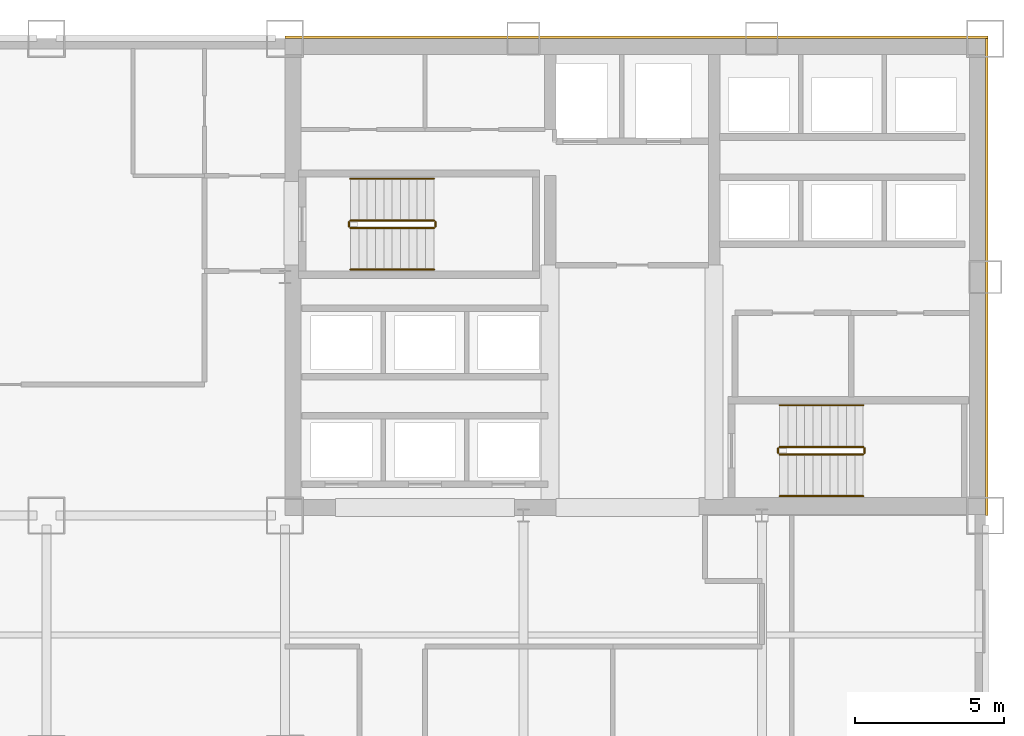
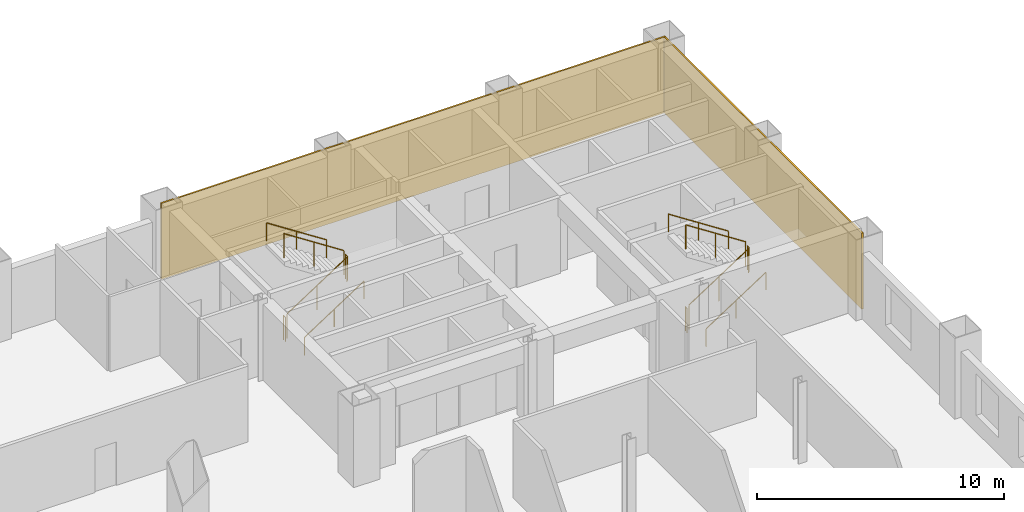
# One storey, part 9 of 9: 12 railings, 2 coverings.
"""IFC4 building model written with IfcOpenShell, lengths in metres."""

from ifc_helpers import new_model, si_unit, direction, frame, origin, origin_2d, place, context, subcontext, project, spatial, rectangle, circle, extrude, material, layer, layer_set, type_object, element, save


model = new_model("IFC4")

# Units and contexts
model_context = context("Model", 3, precision=1e-05, world=origin(), true_north=direction((0.0, 1.0)))
body_context = subcontext(model_context, "Body", "Model", "MODEL_VIEW")
ifc_project = project(units=[si_unit("LENGTHUNIT", "METRE"), si_unit("AREAUNIT", "SQUARE_METRE"), si_unit("VOLUMEUNIT", "CUBIC_METRE"), si_unit("PLANEANGLEUNIT", "RADIAN"), si_unit("MASSUNIT", "GRAM", prefix="KILO")], contexts=[model_context])

# Site, building, storey
site_placement = place(None, origin())
site = spatial("IfcSite", under=ifc_project, at=site_placement, CompositionType="ELEMENT")
building_placement = place(site_placement, origin())
building = spatial("IfcBuilding", under=site, at=building_placement, Name="Qianrong Seaharbour Tower", CompositionType="ELEMENT")
storey_placement = place(building_placement, frame((0.0, 0.0, 68.199951171875)))
storey = spatial("IfcBuildingStorey", under=building, at=storey_placement, Name="L16", CompositionType="ELEMENT", Elevation=68.199951171875)

# Coverings
ifc_material_1 = material(Name="Unitised red brick cladding on Precast concrete C45/55", Category="masonry")
ifc_layer = layer(ifc_material_1, 0.080078125)
ifc_layer_set = layer_set([ifc_layer], Name="Unitised red brick cladding on Precast concrete C45/55")
covering_type = type_object("IfcCoveringType", Name="COV-CLAD-RED-BRICK-80", PredefinedType="CLADDING", material=ifc_layer_set)
covering_1_placement = place(storey_placement, frame((52.2900390625, 52.0400390625, 0.0), z_axis=(0.0, 0.0, 1.0), x_axis=(1.0, 0.0, 0.0)))
element("IfcCovering", 1, at=covering_1_placement, inside=storey, type_object=covering_type, Name="L16 North Core Brick Veneer Cladding", PredefinedType="CLADDING", context=body_context, shape_type="SweptSolid", body=[
    extrude(rectangle(XDim=23.580078125, YDim=0.080078125, at=origin_2d()), origin(), (0.0, 0.0, 1.0), 3.75),
])
covering_2_placement = place(storey_placement, frame((64.0400390625, 44.0, 0.0), z_axis=(0.0, 0.0, 1.0), x_axis=(1.0, 0.0, 0.0)))
element("IfcCovering", 2, at=covering_2_placement, inside=storey, type_object=covering_type, Name="L16 East Core Brick Veneer Cladding", PredefinedType="CLADDING", context=body_context, shape_type="SweptSolid", body=[
    extrude(rectangle(XDim=0.080078125, YDim=16.0, at=origin_2d()), origin(), (0.0, 0.0, 1.0), 3.75),
])

# Railings
ifc_material_2 = material(Name="Galvanized painted steel SN400B stair guard", Category="steel")
railing_type_1 = type_object("IfcRailingType", Name="RAIL-STAIR-GUARD-1220", PredefinedType="GUARDRAIL", material=ifc_material_2)
railing_1_placement = place(storey_placement, frame((42.699951171875, 45.64990234375, 0.181884765625)))
element("IfcRailing", 3, at=railing_1_placement, inside=storey, type_object=railing_type_1, Name="L16 ST-1 stair guard 1", PredefinedType="GUARDRAIL", context=body_context, shape_type="SweptSolid", body=[
    extrude(circle(Radius=0.02392578125, at=origin_2d()), frame((0.0, 0.0, 1.19580078125), z_axis=(0.838705829183, 0.0, 0.544584733623), x_axis=(0.0, 1.0, 0.0)), (0.0, 0.0, 1.0), 3.338623046875),
    extrude(circle(Radius=0.02099609375, at=origin_2d()), origin(), (0.0, 0.0, 1.0), 1.171875),
    extrude(circle(Radius=0.02099609375, at=origin_2d()), frame((1.39990234375, 0.0, 0.9091796875)), (0.0, 0.0, 1.0), 1.171875),
    extrude(circle(Radius=0.02099609375, at=origin_2d()), frame((2.800048828125, 0.0, 1.818115234375)), (0.0, 0.0, 1.0), 1.171875),
])
railing_2_placement = place(storey_placement, frame((45.550048828125, 45.699951171875, 2.0)))
element("IfcRailing", 4, at=railing_2_placement, inside=storey, type_object=railing_type_1, Name="L16 ST-1 stair guard 2", PredefinedType="GUARDRAIL", context=body_context, shape_type="SweptSolid", body=[
    extrude(circle(Radius=0.02392578125, at=origin_2d()), frame((0.0, 0.0, 1.19580078125), z_axis=(0.0, 1.0, 0.0), x_axis=(-1.0, 0.0, 0.0)), (0.0, 0.0, 1.0), 0.150146484375),
    extrude(circle(Radius=0.02099609375, at=origin_2d()), origin(), (0.0, 0.0, 1.0), 1.171875),
    extrude(circle(Radius=0.02099609375, at=origin_2d()), frame((0.0, 0.150146484375, 0.0)), (0.0, 0.0, 1.0), 1.171875),
])
railing_3_placement = place(storey_placement, frame((45.5, 45.89990234375, 2.181884765625)))
element("IfcRailing", 5, at=railing_3_placement, inside=storey, type_object=railing_type_1, Name="L16 ST-1 stair guard 3", PredefinedType="GUARDRAIL", context=body_context, shape_type="SweptSolid", body=[
    extrude(circle(Radius=0.02392578125, at=origin_2d()), frame((0.0, 0.0, 1.19580078125), z_axis=(-0.838705829183, 0.0, 0.544584733623), x_axis=(0.0, -1.0, 0.0)), (0.0, 0.0, 1.0), 3.338623046875),
    extrude(circle(Radius=0.02099609375, at=origin_2d()), origin(), (0.0, 0.0, 1.0), 1.171875),
    extrude(circle(Radius=0.02099609375, at=origin_2d()), frame((-1.39990234375, 0.0, 0.9091796875)), (0.0, 0.0, 1.0), 1.171875),
    extrude(circle(Radius=0.02099609375, at=origin_2d()), frame((-2.800048828125, 0.0, 1.818115234375)), (0.0, 0.0, 1.0), 1.171875),
])
railing_4_placement = place(storey_placement, frame((42.64990234375, 45.699951171875, 0.0)))
element("IfcRailing", 6, at=railing_4_placement, inside=storey, type_object=railing_type_1, Name="L16 ST-1 stair guard 4", PredefinedType="GUARDRAIL", context=body_context, shape_type="SweptSolid", body=[
    extrude(circle(Radius=0.02392578125, at=origin_2d()), frame((0.0, 0.0, 1.19580078125), z_axis=(0.0, 1.0, 0.0), x_axis=(-1.0, 0.0, 0.0)), (0.0, 0.0, 1.0), 0.150146484375),
    extrude(circle(Radius=0.02099609375, at=origin_2d()), origin(), (0.0, 0.0, 1.0), 1.171875),
    extrude(circle(Radius=0.02099609375, at=origin_2d()), frame((0.0, 0.150146484375, 0.0)), (0.0, 0.0, 1.0), 1.171875),
])
railing_5_placement = place(storey_placement, frame((57.10009765625, 38.050048828125, 0.181884765625)))
element("IfcRailing", 7, at=railing_5_placement, inside=storey, type_object=railing_type_1, Name="L16 ST-2 stair guard 1", PredefinedType="GUARDRAIL", context=body_context, shape_type="SweptSolid", body=[
    extrude(circle(Radius=0.02392578125, at=origin_2d()), frame((0.0, 0.0, 1.19580078125), z_axis=(0.83868413941, 0.0, 0.544618136222), x_axis=(0.0, 1.0, 0.0)), (0.0, 0.0, 1.0), 3.33837890625),
    extrude(circle(Radius=0.02099609375, at=origin_2d()), origin(), (0.0, 0.0, 1.0), 1.171875),
    extrude(circle(Radius=0.02099609375, at=origin_2d()), frame((1.39990234375, 0.0, 0.9091796875)), (0.0, 0.0, 1.0), 1.171875),
    extrude(circle(Radius=0.02099609375, at=origin_2d()), frame((2.7998046875, 0.0, 1.818115234375)), (0.0, 0.0, 1.0), 1.171875),
])
railing_6_placement = place(storey_placement, frame((59.949951171875, 38.10009765625, 2.0)))
element("IfcRailing", 8, at=railing_6_placement, inside=storey, type_object=railing_type_1, Name="L16 ST-2 stair guard 2", PredefinedType="GUARDRAIL", context=body_context, shape_type="SweptSolid", body=[
    extrude(circle(Radius=0.02392578125, at=origin_2d()), frame((0.0, 0.0, 1.19580078125), z_axis=(0.0, 1.0, 0.0), x_axis=(-1.0, 0.0, 0.0)), (0.0, 0.0, 1.0), 0.14990234375),
    extrude(circle(Radius=0.02099609375, at=origin_2d()), origin(), (0.0, 0.0, 1.0), 1.171875),
    extrude(circle(Radius=0.02099609375, at=origin_2d()), frame((0.0, 0.14990234375, 0.0)), (0.0, 0.0, 1.0), 1.171875),
])
railing_7_placement = place(storey_placement, frame((59.89990234375, 38.300048828125, 2.181884765625)))
element("IfcRailing", 9, at=railing_7_placement, inside=storey, type_object=railing_type_1, Name="L16 ST-2 stair guard 3", PredefinedType="GUARDRAIL", context=body_context, shape_type="SweptSolid", body=[
    extrude(circle(Radius=0.02392578125, at=origin_2d()), frame((0.0, 0.0, 1.19580078125), z_axis=(-0.83868413941, 0.0, 0.544618136222), x_axis=(0.0, -1.0, 0.0)), (0.0, 0.0, 1.0), 3.33837890625),
    extrude(circle(Radius=0.02099609375, at=origin_2d()), origin(), (0.0, 0.0, 1.0), 1.171875),
    extrude(circle(Radius=0.02099609375, at=origin_2d()), frame((-1.39990234375, 0.0, 0.9091796875)), (0.0, 0.0, 1.0), 1.171875),
    extrude(circle(Radius=0.02099609375, at=origin_2d()), frame((-2.7998046875, 0.0, 1.818115234375)), (0.0, 0.0, 1.0), 1.171875),
])
railing_8_placement = place(storey_placement, frame((57.050048828125, 38.10009765625, 0.0)))
element("IfcRailing", 10, at=railing_8_placement, inside=storey, type_object=railing_type_1, Name="L16 ST-2 stair guard 4", PredefinedType="GUARDRAIL", context=body_context, shape_type="SweptSolid", body=[
    extrude(circle(Radius=0.02392578125, at=origin_2d()), frame((0.0, 0.0, 1.19580078125), z_axis=(0.0, 1.0, 0.0), x_axis=(-1.0, 0.0, 0.0)), (0.0, 0.0, 1.0), 0.14990234375),
    extrude(circle(Radius=0.02099609375, at=origin_2d()), origin(), (0.0, 0.0, 1.0), 1.171875),
    extrude(circle(Radius=0.02099609375, at=origin_2d()), frame((0.0, 0.14990234375, 0.0)), (0.0, 0.0, 1.0), 1.171875),
])
ifc_material_3 = material(Name="Stainless steel SUS316L continuous handrail", Category="steel")
railing_type_2 = type_object("IfcRailingType", Name="RAIL-STAIR-HANDRAIL-900", PredefinedType="HANDRAIL", material=ifc_material_3)
railing_9_placement = place(storey_placement, frame((42.699951171875, 44.25, 0.181884765625)))
element("IfcRailing", 11, at=railing_9_placement, inside=storey, type_object=railing_type_2, Name="L16 ST-1 stair handrail 1", PredefinedType="HANDRAIL", context=body_context, shape_type="SweptSolid", body=[
    extrude(circle(Radius=0.02392578125, at=origin_2d()), frame((0.0, 0.0, 0.8759765625), z_axis=(0.838705829183, 0.0, 0.544584733623), x_axis=(0.0, 1.0, 0.0)), (0.0, 0.0, 1.0), 3.338623046875),
    extrude(circle(Radius=0.02099609375, at=origin_2d()), origin(), (0.0, 0.0, 1.0), 0.851806640625),
    extrude(circle(Radius=0.02099609375, at=origin_2d()), frame((1.39990234375, 0.0, 0.9091796875)), (0.0, 0.0, 1.0), 0.851806640625),
    extrude(circle(Radius=0.02099609375, at=origin_2d()), frame((2.800048828125, 0.0, 1.818115234375)), (0.0, 0.0, 1.0), 0.851806640625),
])
railing_10_placement = place(storey_placement, frame((45.5, 47.300048828125, 2.181884765625)))
element("IfcRailing", 12, at=railing_10_placement, inside=storey, type_object=railing_type_2, Name="L16 ST-1 stair handrail 2", PredefinedType="HANDRAIL", context=body_context, shape_type="SweptSolid", body=[
    extrude(circle(Radius=0.02392578125, at=origin_2d()), frame((0.0, 0.0, 0.8759765625), z_axis=(-0.838705829183, 0.0, 0.544584733623), x_axis=(0.0, -1.0, 0.0)), (0.0, 0.0, 1.0), 3.338623046875),
    extrude(circle(Radius=0.02099609375, at=origin_2d()), origin(), (0.0, 0.0, 1.0), 0.851806640625),
    extrude(circle(Radius=0.02099609375, at=origin_2d()), frame((-1.39990234375, 0.0, 0.9091796875)), (0.0, 0.0, 1.0), 0.851806640625),
    extrude(circle(Radius=0.02099609375, at=origin_2d()), frame((-2.800048828125, 0.0, 1.818115234375)), (0.0, 0.0, 1.0), 0.851806640625),
])
railing_11_placement = place(storey_placement, frame((57.10009765625, 36.64990234375, 0.181884765625)))
element("IfcRailing", 13, at=railing_11_placement, inside=storey, type_object=railing_type_2, Name="L16 ST-2 stair handrail 1", PredefinedType="HANDRAIL", context=body_context, shape_type="SweptSolid", body=[
    extrude(circle(Radius=0.02392578125, at=origin_2d()), frame((0.0, 0.0, 0.8759765625), z_axis=(0.83868413941, 0.0, 0.544618136222), x_axis=(0.0, 1.0, 0.0)), (0.0, 0.0, 1.0), 3.33837890625),
    extrude(circle(Radius=0.02099609375, at=origin_2d()), origin(), (0.0, 0.0, 1.0), 0.851806640625),
    extrude(circle(Radius=0.02099609375, at=origin_2d()), frame((1.39990234375, 0.0, 0.9091796875)), (0.0, 0.0, 1.0), 0.851806640625),
    extrude(circle(Radius=0.02099609375, at=origin_2d()), frame((2.7998046875, 0.0, 1.818115234375)), (0.0, 0.0, 1.0), 0.851806640625),
])
railing_12_placement = place(storey_placement, frame((59.89990234375, 39.699951171875, 2.181884765625)))
element("IfcRailing", 14, at=railing_12_placement, inside=storey, type_object=railing_type_2, Name="L16 ST-2 stair handrail 2", PredefinedType="HANDRAIL", context=body_context, shape_type="SweptSolid", body=[
    extrude(circle(Radius=0.02392578125, at=origin_2d()), frame((0.0, 0.0, 0.8759765625), z_axis=(-0.83868413941, 0.0, 0.544618136222), x_axis=(0.0, -1.0, 0.0)), (0.0, 0.0, 1.0), 3.33837890625),
    extrude(circle(Radius=0.02099609375, at=origin_2d()), origin(), (0.0, 0.0, 1.0), 0.851806640625),
    extrude(circle(Radius=0.02099609375, at=origin_2d()), frame((-1.39990234375, 0.0, 0.9091796875)), (0.0, 0.0, 1.0), 0.851806640625),
    extrude(circle(Radius=0.02099609375, at=origin_2d()), frame((-2.7998046875, 0.0, 1.818115234375)), (0.0, 0.0, 1.0), 0.851806640625),
])

save(model, "model.ifc")
